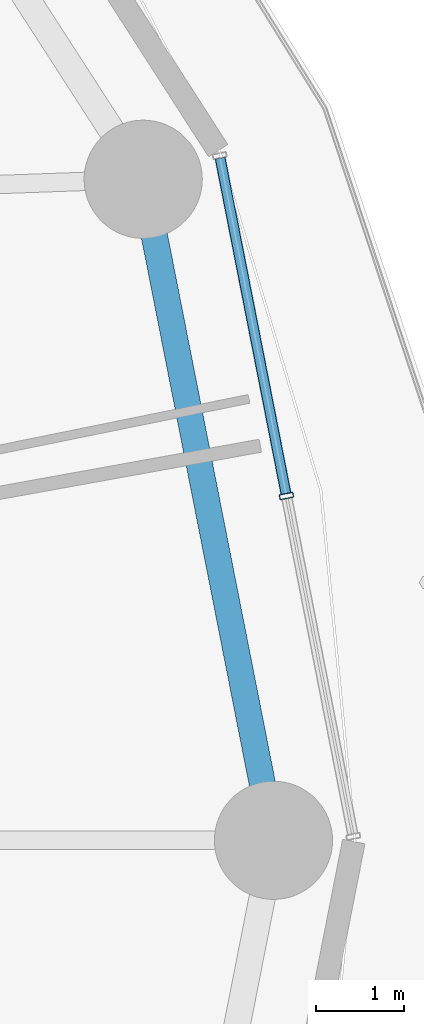
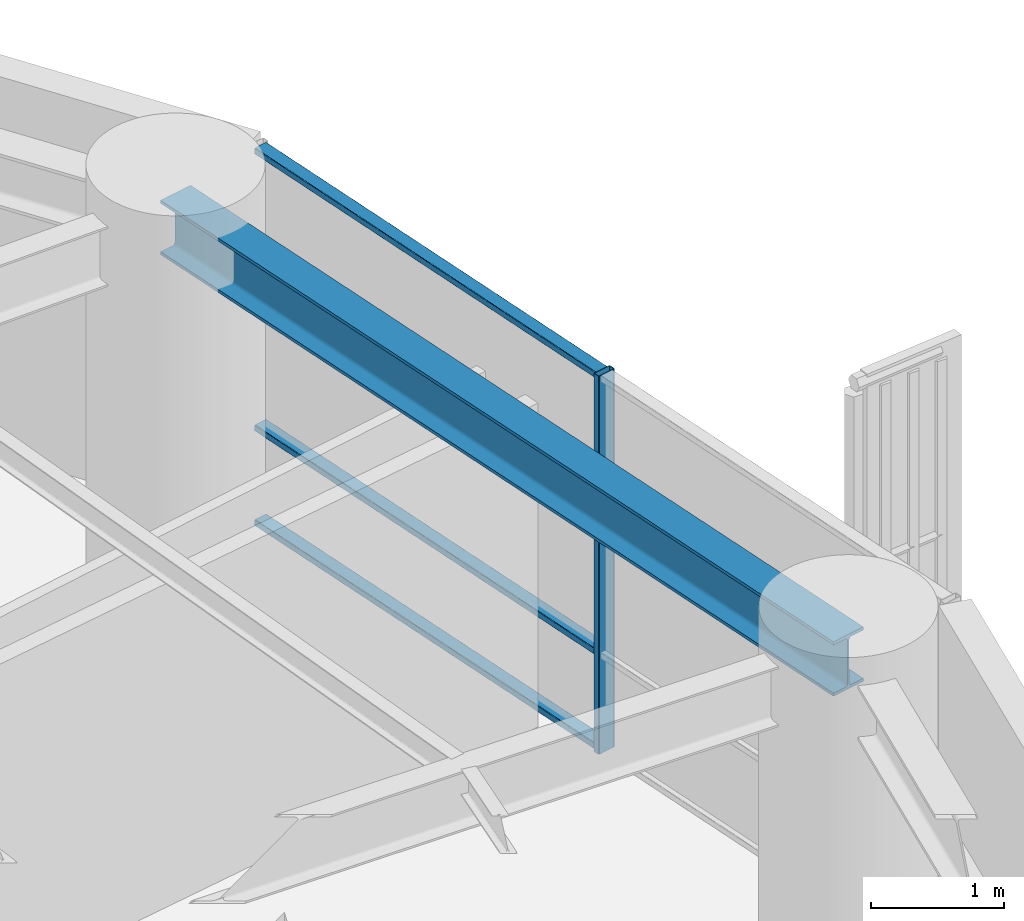
# One storey, part 17 of 35: 4 members, 1 beam, 1 element without a shape of its own.
"""IFC4 building model written with IfcOpenShell, lengths in metres."""

import ifcopenshell
import ifcopenshell.guid

model = None  # the IFC model being written
_history = None  # IfcOwnerHistory: only IFC2X3 demands one
_inside = {}  # id of a spatial element -> (the spatial element, [elements in it])
_under = {}  # id of a project, library or spatial element -> (it, [spatial elements below it])
_declared = {}  # id of a project -> (the project, [libraries it declares])
_typed = {}  # id of a type object -> (the type object, [elements of that type])
_made_of = {}  # id of a material, layer set ... -> (it, [elements and type objects made of it])


def new_model(schema):
    """Start an empty IFC model of exactly this schema.

    Asked for "IFC4X3", IfcOpenShell would pick the latest addendum, in which some entities
    have other attributes; the version numbers below select the first issue.
    IFC2X3 requires an IfcOwnerHistory on every rooted entity: one is made here for all.
    """
    global model, _history
    if schema == "IFC4X3":
        model = ifcopenshell.file(schema_version=(4, 3, 0, 0))
    else:
        model = ifcopenshell.file(schema=schema)
    _inside.clear()
    _under.clear()
    _declared.clear()
    _typed.clear()
    _made_of.clear()
    _history = None
    if model.schema == "IFC2X3":
        org = make("IfcOrganization", Name="unknown")
        user = make(
            "IfcPersonAndOrganization",
            ThePerson=make("IfcPerson", FamilyName="unknown"),
            TheOrganization=org,
        )
        app = make(
            "IfcApplication",
            ApplicationDeveloper=org,
            Version="unknown",
            ApplicationFullName="unknown",
            ApplicationIdentifier="unknown",
        )
        _history = make(
            "IfcOwnerHistory",
            OwningUser=user,
            OwningApplication=app,
            ChangeAction="ADDED",
            CreationDate=0,
        )
    return model


def make(cls, **values):
    """One entity of the class cls with the attributes given. An attribute that is None is left unset."""
    return model.create_entity(
        cls, **{name: value for name, value in values.items() if value is not None}
    )


def rooted(cls, **values):
    """An entity with a GlobalId (a new one), such as an element, a storey or a relation."""
    return make(cls, GlobalId=ifcopenshell.guid.new(), OwnerHistory=_history, **values)


def si_unit(unit_type, name, prefix=None):
    """IfcSIUnit, for example si_unit("LENGTHUNIT", "METRE", prefix="MILLI")."""
    return make("IfcSIUnit", UnitType=unit_type, Prefix=prefix, Name=name)


def assignment(units):
    """IfcUnitAssignment: the units of a project."""
    return None if units is None else make("IfcUnitAssignment", Units=units)


def point(xyz):
    """IfcCartesianPoint."""
    return None if xyz is None else make("IfcCartesianPoint", Coordinates=xyz)


def direction(xyz):
    """IfcDirection."""
    return None if xyz is None else make("IfcDirection", DirectionRatios=xyz)


def frame(location, z_axis=None, x_axis=None):
    """IfcAxis2Placement3D, a coordinate frame: its origin and axes. An axis left out is left unset."""
    return make(
        "IfcAxis2Placement3D",
        Location=point(location),
        Axis=direction(z_axis),
        RefDirection=direction(x_axis),
    )


def frame_2d(location, x_axis=None):
    """IfcAxis2Placement2D, a coordinate frame in the plane: its origin and x axis."""
    return make(
        "IfcAxis2Placement2D", Location=point(location), RefDirection=direction(x_axis)
    )


def origin():
    """The frame at (0, 0, 0) with its axes left unset."""
    return frame((0.0, 0.0, 0.0))


def origin_2d():
    """The frame at (0, 0) in the plane with its x axis left unset."""
    return frame_2d((0.0, 0.0))


def place(relative_to, where):
    """IfcLocalPlacement: puts the frame where relative to a parent placement (None: the world)."""
    return make(
        "IfcLocalPlacement", PlacementRelTo=relative_to, RelativePlacement=where
    )


def context(
    kind, dimensions, precision=None, world=None, true_north=None, identifier=None
):
    """IfcGeometricRepresentationContext, for example the 3D "Model" context."""
    return make(
        "IfcGeometricRepresentationContext",
        ContextIdentifier=identifier,
        ContextType=kind,
        CoordinateSpaceDimension=dimensions,
        Precision=precision,
        WorldCoordinateSystem=world,
        TrueNorth=true_north,
    )


def subcontext(parent, identifier, kind, view, scale=None):
    """IfcGeometricRepresentationSubContext, for example "Body" below "Model"."""
    return make(
        "IfcGeometricRepresentationSubContext",
        ContextIdentifier=identifier,
        ContextType=kind,
        ParentContext=parent,
        TargetScale=scale,
        TargetView=view,
    )


def project(units=None, contexts=None):
    """IfcProject with its units and contexts."""
    return rooted(
        "IfcProject",
        Name="project",
        RepresentationContexts=contexts,
        UnitsInContext=assignment(units),
    )


def spatial(cls, under=None, at=None, **own):
    """A site, building, storey or space (cls), placed at a placement, below another one or the project."""
    s = rooted(cls, ObjectPlacement=at, **own)
    if under is not None:
        _under.setdefault(under.id(), (under, []))[1].append(s)
    return s


def profile(cls, at=None, kind="AREA", **sizes):
    """A parametric profile (cls). Its sizes go by their IFC names, for example OverallWidth=200.0."""
    return make(cls, ProfileType=kind, Position=at, **sizes)


def hollow_rectangle(**sizes):
    """IfcRectangleHollowProfileDef."""
    return profile("IfcRectangleHollowProfileDef", **sizes)


def i_section(**sizes):
    """IfcIShapeProfileDef."""
    return profile("IfcIShapeProfileDef", **sizes)


def extrude(swept, where, along, depth):
    """IfcExtrudedAreaSolid: the profile swept, set in the frame where, extruded along a direction by depth."""
    return make(
        "IfcExtrudedAreaSolid",
        SweptArea=swept,
        Position=where,
        ExtrudedDirection=direction(along),
        Depth=depth,
    )


def shape(context_of_items, identifier, shape_type, items):
    """IfcShapeRepresentation: the items that make up one representation, for example the "Body"."""
    return make(
        "IfcShapeRepresentation",
        ContextOfItems=context_of_items,
        RepresentationIdentifier=identifier,
        RepresentationType=shape_type,
        Items=items,
    )


def material(Name=None, Category=None):
    """IfcMaterial."""
    return make("IfcMaterial", Name=Name, Category=Category)


def layer(
    of_material, thickness, ventilated=None, Name=None, Category=None, Priority=None
):
    """IfcMaterialLayer: one layer of a wall or slab, of a material (None: an air gap)."""
    return make(
        "IfcMaterialLayer",
        Material=of_material,
        LayerThickness=thickness,
        IsVentilated=ventilated,
        Name=Name,
        Category=Category,
        Priority=Priority,
    )


def layer_set(layers, Name=None):
    """IfcMaterialLayerSet."""
    return make("IfcMaterialLayerSet", MaterialLayers=layers, LayerSetName=Name)


def material_profile(
    of_material, cross_section, Name=None, Category=None, Priority=None
):
    """IfcMaterialProfile: a cross section and its material."""
    return make(
        "IfcMaterialProfile",
        Name=Name,
        Material=of_material,
        Profile=cross_section,
        Priority=Priority,
        Category=Category,
    )


def profile_set(profiles, Name=None, composite=None):
    """IfcMaterialProfileSet."""
    return make(
        "IfcMaterialProfileSet",
        Name=Name,
        MaterialProfiles=profiles,
        CompositeProfile=composite,
    )


def made_of(thing, what):
    """Note that an element or type object is made of a material, layer set ...; save() writes the relation."""
    if what is not None:
        _made_of.setdefault(what.id(), (what, []))[1].append(thing)
    return thing


def type_object(cls, material=None, **own):
    """A type object (cls), such as IfcWallType, which elements share."""
    return made_of(rooted(cls, **own), material)


def element(
    cls,
    number,
    at=None,
    inside=None,
    cuts=None,
    type_object=None,
    material=None,
    context=None,
    identifier="Body",
    shape_type=None,
    held_by="IfcProductDefinitionShape",
    body=None,
    shapes=None,
    **own,
):
    """One element of the class cls, such as IfcWall. Its Tag is "e" and its number.

    at: its placement. inside: the storey or other place that contains it. cuts: it is an
    opening in that element (IfcRelVoidsElement). A single representation is given by context,
    identifier, shape_type and body (its items); several are given by shapes. held_by: the class
    of the entity that holds the representations. save() writes the other relations.
    """
    e = rooted(cls, Tag="e%d" % number, ObjectPlacement=at, **own)
    if body is not None:
        shapes = [shape(context, identifier, shape_type, body)]
    if shapes is not None:
        e.Representation = make(held_by, Representations=shapes)
    if inside is not None:
        _inside.setdefault(inside.id(), (inside, []))[1].append(e)
    if cuts is not None:
        rooted(
            "IfcRelVoidsElement", RelatingBuildingElement=cuts, RelatedOpeningElement=e
        )
    if type_object is not None:
        _typed.setdefault(type_object.id(), (type_object, []))[1].append(e)
    return made_of(e, material)


def aggregate(whole, parts):
    """IfcRelAggregates: a whole, such as a stair, and the parts it consists of."""
    return rooted("IfcRelAggregates", RelatingObject=whole, RelatedObjects=parts)


def save(model, path):
    """Write the relations noted so far, then the file.

    IfcRelAggregates (storeys below a building ...), IfcRelContainedInSpatialStructure (elements
    in a storey), IfcRelDefinesByType, IfcRelAssociatesMaterial and IfcRelDeclares: one each for
    every whole, place, type object, material and project.
    """
    for whole, parts in _under.values():
        aggregate(whole, parts)
    for where, things in _inside.values():
        rooted(
            "IfcRelContainedInSpatialStructure",
            RelatedElements=things,
            RelatingStructure=where,
        )
    for kind, things in _typed.values():
        rooted("IfcRelDefinesByType", RelatedObjects=things, RelatingType=kind)
    for what, things in _made_of.values():
        rooted("IfcRelAssociatesMaterial", RelatedObjects=things, RelatingMaterial=what)
    for by, libraries in _declared.values():
        rooted("IfcRelDeclares", RelatingContext=by, RelatedDefinitions=libraries)
    model.write(path)


model = new_model("IFC4")

# Units and contexts
model_context = context("Model", 3, precision=1e-05, world=origin(), true_north=direction((0.0, 1.0)))
body_context = subcontext(model_context, "Body", "Model", "MODEL_VIEW")
ifc_project = project(units=[si_unit("LENGTHUNIT", "METRE"), si_unit("AREAUNIT", "SQUARE_METRE"), si_unit("VOLUMEUNIT", "CUBIC_METRE"), si_unit("PLANEANGLEUNIT", "RADIAN"), si_unit("MASSUNIT", "GRAM", prefix="KILO")], contexts=[model_context])

# Site, building, storey
site_placement = place(None, origin())
site = spatial("IfcSite", under=ifc_project, at=site_placement, CompositionType="ELEMENT")
building_placement = place(site_placement, origin())
building = spatial("IfcBuilding", under=site, at=building_placement, Name="Kelanora Arch Commons", CompositionType="ELEMENT")
storey_placement = place(building_placement, frame((0.0, 0.0, 121.35009765625)))
storey = spatial("IfcBuildingStorey", under=building, at=storey_placement, Name="L31", CompositionType="ELEMENT", Elevation=121.35009765625)

# Beam
ifc_material_1 = material(Name="Steel S355", Category="steel")
ifc_material_profile_1 = material_profile(ifc_material_1, i_section(OverallWidth=0.300048828125, OverallDepth=0.5, WebThickness=0.014404296875, FlangeThickness=0.028076171875, FilletRadius=0.027099609375, at=origin_2d()), Name="HEB500")
ifc_profile_set_1 = profile_set([ifc_material_profile_1], Name="Steel S355")
beam_type = type_object("IfcBeamType", Name="BM-SPN-Z2", PredefinedType="SPANDREL", material=ifc_profile_set_1)
beam_placement = place(storey_placement, frame((98.679931640625, 58.0, 3.239990234375), z_axis=(-0.19335825777, 0.981128220037, 0.0), x_axis=(-0.981128220037, -0.19335825777, 0.0)))
element("IfcBeam", 1, at=beam_placement, inside=storey, type_object=beam_type, Name="Perimeter Spandrel Beam BS-00 L31", PredefinedType="SPANDREL", context=body_context, shape_type="SweptSolid", body=[
    extrude(i_section(OverallWidth=0.300048828125, OverallDepth=0.5, WebThickness=0.014404296875, FlangeThickness=0.028076171875, FilletRadius=0.027099609375, at=origin_2d()), origin(), (0.0, 0.0, 1.0), 7.697021484375),
])

# Curtain wall, members
ifc_material_2 = material(Name="Terracotta ceramic-fritted low-E glass and aluminium", Category="masonry")
ifc_layer = layer(ifc_material_2, 0.159912109375)
ifc_layer_set = layer_set([ifc_layer], Name="Terracotta ceramic-fritted low-E glass and aluminium")
curtain_wall_type = type_object("IfcCurtainWallType", Name="CW-SYS-01", PredefinedType="NOTDEFINED", material=ifc_layer_set)
curtain_wall_placement = place(storey_placement, origin())
curtain_wall = element("IfcCurtainWall", 2, at=curtain_wall_placement, inside=storey, type_object=curtain_wall_type, Name="Unitised Curtain Wall L31-B00", PredefinedType="NOTDEFINED")
ifc_material_3 = material(Name="Powder-coated aluminium terracotta", Category="masonry")
ifc_material_profile_2 = material_profile(ifc_material_3, hollow_rectangle(XDim=0.159912109375, YDim=0.06005859375, WallThickness=0.0048828125, InnerFilletRadius=0.0048828125, OuterFilletRadius=0.010009765625, at=origin_2d()), Name="CWM160x60")
ifc_profile_set_2 = profile_set([ifc_material_profile_2], Name="Powder-coated aluminium terracotta")
member_type_1 = type_object("IfcMemberType", Name="CWM-STD", PredefinedType="MULLION", material=ifc_profile_set_2)
member_1_placement = place(storey_placement, frame((98.828125, 61.933349609375, 0.0), z_axis=(0.0, 0.0, 1.0), x_axis=(-0.981280311646, -0.192584916272, 0.0)))
member_1 = element("IfcMember", 3, at=member_1_placement, type_object=member_type_1, Name="CW-01 mullion 2", PredefinedType="MULLION", context=body_context, shape_type="SweptSolid", body=[
    extrude(hollow_rectangle(XDim=0.159912109375, YDim=0.06005859375, WallThickness=0.0048828125, InnerFilletRadius=0.0048828125, OuterFilletRadius=0.010009765625, at=origin_2d()), origin(), (0.0, 0.0, 1.0), 3.474853515625),
])
ifc_material_profile_3 = material_profile(ifc_material_3, hollow_rectangle(XDim=0.1201171875, YDim=0.06005859375, WallThickness=0.0048828125, InnerFilletRadius=0.0048828125, OuterFilletRadius=0.010009765625, at=origin_2d()), Name="CWT120x60")
ifc_profile_set_3 = profile_set([ifc_material_profile_3], Name="Powder-coated aluminium terracotta")
member_type_2 = type_object("IfcMemberType", Name="CWT-STD", PredefinedType="USERDEFINED", material=ifc_profile_set_3)
member_2_placement = place(storey_placement, frame((98.822265625, 61.962646484375, 0.02978515625), z_axis=(-0.192578614785, 0.981281548348, 0.0), x_axis=(-0.981281548348, -0.192578614785, 0.0)))
member_2 = element("IfcMember", 4, at=member_2_placement, type_object=member_type_2, Name="CW-01 transom 2.1", ObjectType="TRANSOM", PredefinedType="USERDEFINED", context=body_context, shape_type="SweptSolid", body=[
    extrude(hollow_rectangle(XDim=0.1201171875, YDim=0.06005859375, WallThickness=0.0048828125, InnerFilletRadius=0.0048828125, OuterFilletRadius=0.010009765625, at=origin_2d()), origin(), (0.0, 0.0, 1.0), 3.9033203125),
])
member_3_placement = place(storey_placement, frame((98.822265625, 61.962646484375, 0.89990234375), z_axis=(-0.192578614785, 0.981281548348, 0.0), x_axis=(-0.981281548348, -0.192578614785, 0.0)))
member_3 = element("IfcMember", 5, at=member_3_placement, type_object=member_type_2, Name="CW-01 transom 2.2", ObjectType="TRANSOM", PredefinedType="USERDEFINED", context=body_context, shape_type="SweptSolid", body=[
    extrude(hollow_rectangle(XDim=0.1201171875, YDim=0.06005859375, WallThickness=0.0048828125, InnerFilletRadius=0.0048828125, OuterFilletRadius=0.010009765625, at=origin_2d()), origin(), (0.0, 0.0, 1.0), 3.9033203125),
])
member_4_placement = place(storey_placement, frame((98.822265625, 61.962646484375, 3.44482421875), z_axis=(-0.192578614785, 0.981281548348, 0.0), x_axis=(-0.981281548348, -0.192578614785, 0.0)))
member_4 = element("IfcMember", 6, at=member_4_placement, type_object=member_type_2, Name="CW-01 transom 2.3", ObjectType="TRANSOM", PredefinedType="USERDEFINED", context=body_context, shape_type="SweptSolid", body=[
    extrude(hollow_rectangle(XDim=0.1201171875, YDim=0.06005859375, WallThickness=0.0048828125, InnerFilletRadius=0.0048828125, OuterFilletRadius=0.010009765625, at=origin_2d()), origin(), (0.0, 0.0, 1.0), 3.9033203125),
])
aggregate(curtain_wall, [member_1, member_2, member_3, member_4])

save(model, "model.ifc")
